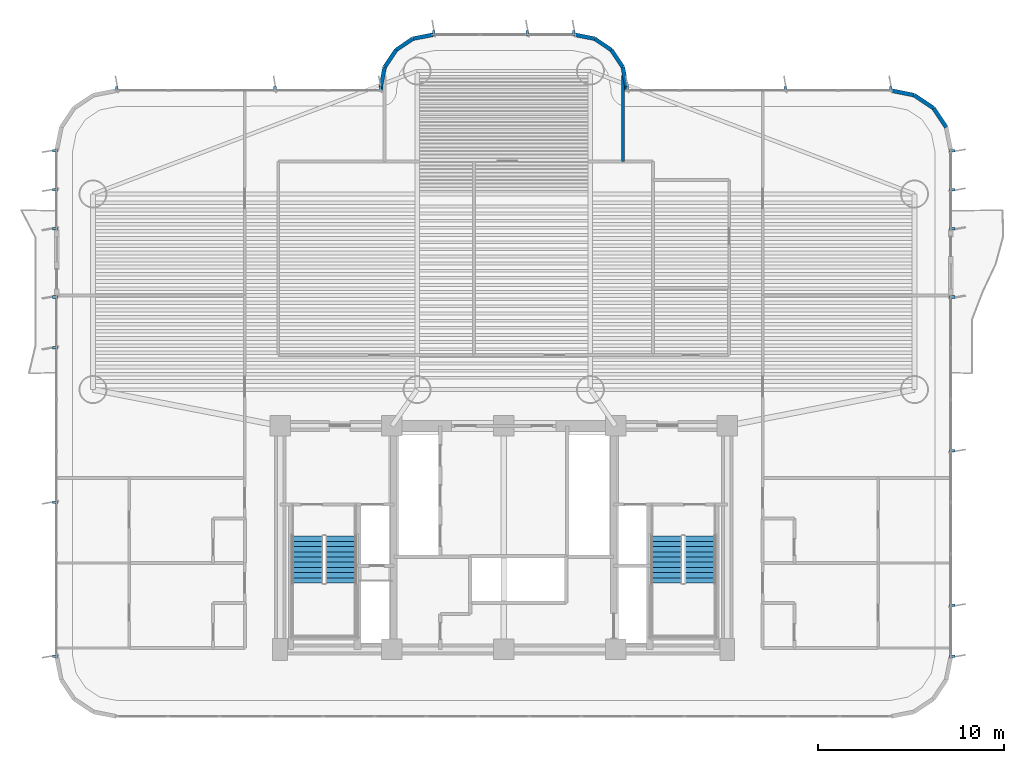
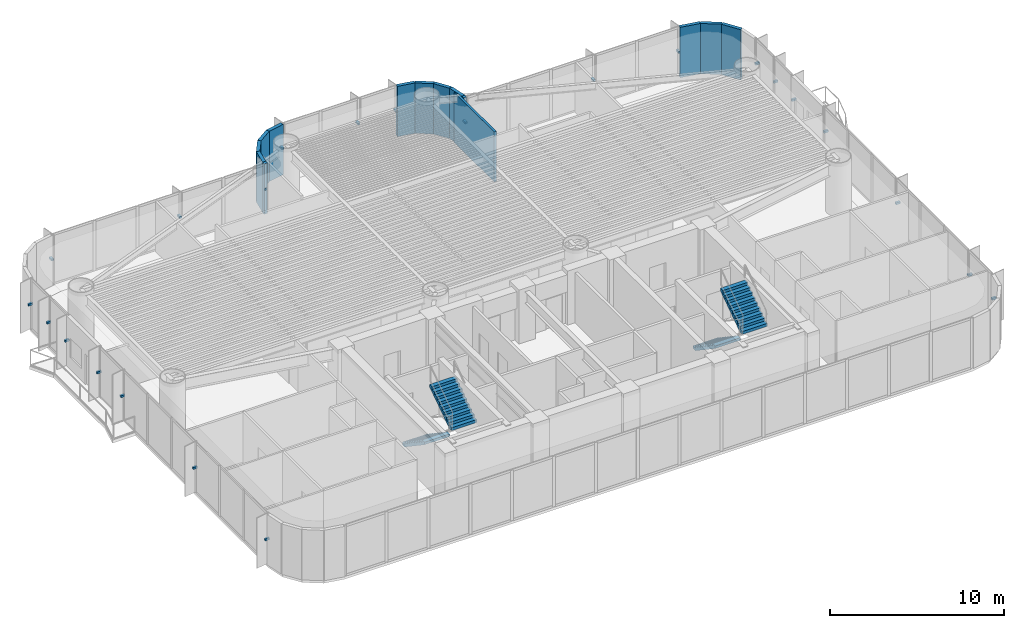
# One storey, part 13 of 17: 23 discrete accessories, 14 walls, 4 stair flights, 2 elements without a shape of their own.
"""IFC4 building model written with IfcOpenShell, lengths in metres."""

import ifcopenshell
import ifcopenshell.guid

model = None  # the IFC model being written
_history = None  # IfcOwnerHistory: only IFC2X3 demands one
_inside = {}  # id of a spatial element -> (the spatial element, [elements in it])
_under = {}  # id of a project, library or spatial element -> (it, [spatial elements below it])
_declared = {}  # id of a project -> (the project, [libraries it declares])
_typed = {}  # id of a type object -> (the type object, [elements of that type])
_made_of = {}  # id of a material, layer set ... -> (it, [elements and type objects made of it])


def new_model(schema):
    """Start an empty IFC model of exactly this schema.

    Asked for "IFC4X3", IfcOpenShell would pick the latest addendum, in which some entities
    have other attributes; the version numbers below select the first issue.
    IFC2X3 requires an IfcOwnerHistory on every rooted entity: one is made here for all.
    """
    global model, _history
    if schema == "IFC4X3":
        model = ifcopenshell.file(schema_version=(4, 3, 0, 0))
    else:
        model = ifcopenshell.file(schema=schema)
    _inside.clear()
    _under.clear()
    _declared.clear()
    _typed.clear()
    _made_of.clear()
    _history = None
    if model.schema == "IFC2X3":
        org = make("IfcOrganization", Name="unknown")
        user = make(
            "IfcPersonAndOrganization",
            ThePerson=make("IfcPerson", FamilyName="unknown"),
            TheOrganization=org,
        )
        app = make(
            "IfcApplication",
            ApplicationDeveloper=org,
            Version="unknown",
            ApplicationFullName="unknown",
            ApplicationIdentifier="unknown",
        )
        _history = make(
            "IfcOwnerHistory",
            OwningUser=user,
            OwningApplication=app,
            ChangeAction="ADDED",
            CreationDate=0,
        )
    return model


def make(cls, **values):
    """One entity of the class cls with the attributes given. An attribute that is None is left unset."""
    return model.create_entity(
        cls, **{name: value for name, value in values.items() if value is not None}
    )


def rooted(cls, **values):
    """An entity with a GlobalId (a new one), such as an element, a storey or a relation."""
    return make(cls, GlobalId=ifcopenshell.guid.new(), OwnerHistory=_history, **values)


def si_unit(unit_type, name, prefix=None):
    """IfcSIUnit, for example si_unit("LENGTHUNIT", "METRE", prefix="MILLI")."""
    return make("IfcSIUnit", UnitType=unit_type, Prefix=prefix, Name=name)


def assignment(units):
    """IfcUnitAssignment: the units of a project."""
    return None if units is None else make("IfcUnitAssignment", Units=units)


def point(xyz):
    """IfcCartesianPoint."""
    return None if xyz is None else make("IfcCartesianPoint", Coordinates=xyz)


def direction(xyz):
    """IfcDirection."""
    return None if xyz is None else make("IfcDirection", DirectionRatios=xyz)


def frame(location, z_axis=None, x_axis=None):
    """IfcAxis2Placement3D, a coordinate frame: its origin and axes. An axis left out is left unset."""
    return make(
        "IfcAxis2Placement3D",
        Location=point(location),
        Axis=direction(z_axis),
        RefDirection=direction(x_axis),
    )


def frame_2d(location, x_axis=None):
    """IfcAxis2Placement2D, a coordinate frame in the plane: its origin and x axis."""
    return make(
        "IfcAxis2Placement2D", Location=point(location), RefDirection=direction(x_axis)
    )


def origin():
    """The frame at (0, 0, 0) with its axes left unset."""
    return frame((0.0, 0.0, 0.0))


def origin_2d():
    """The frame at (0, 0) in the plane with its x axis left unset."""
    return frame_2d((0.0, 0.0))


def place(relative_to, where):
    """IfcLocalPlacement: puts the frame where relative to a parent placement (None: the world)."""
    return make(
        "IfcLocalPlacement", PlacementRelTo=relative_to, RelativePlacement=where
    )


def context(
    kind, dimensions, precision=None, world=None, true_north=None, identifier=None
):
    """IfcGeometricRepresentationContext, for example the 3D "Model" context."""
    return make(
        "IfcGeometricRepresentationContext",
        ContextIdentifier=identifier,
        ContextType=kind,
        CoordinateSpaceDimension=dimensions,
        Precision=precision,
        WorldCoordinateSystem=world,
        TrueNorth=true_north,
    )


def subcontext(parent, identifier, kind, view, scale=None):
    """IfcGeometricRepresentationSubContext, for example "Body" below "Model"."""
    return make(
        "IfcGeometricRepresentationSubContext",
        ContextIdentifier=identifier,
        ContextType=kind,
        ParentContext=parent,
        TargetScale=scale,
        TargetView=view,
    )


def project(units=None, contexts=None):
    """IfcProject with its units and contexts."""
    return rooted(
        "IfcProject",
        Name="project",
        RepresentationContexts=contexts,
        UnitsInContext=assignment(units),
    )


def spatial(cls, under=None, at=None, **own):
    """A site, building, storey or space (cls), placed at a placement, below another one or the project."""
    s = rooted(cls, ObjectPlacement=at, **own)
    if under is not None:
        _under.setdefault(under.id(), (under, []))[1].append(s)
    return s


def polyline(points):
    """IfcPolyline through the points."""
    return make("IfcPolyline", Points=[point(p) for p in points])


def profile(cls, at=None, kind="AREA", **sizes):
    """A parametric profile (cls). Its sizes go by their IFC names, for example OverallWidth=200.0."""
    return make(cls, ProfileType=kind, Position=at, **sizes)


def rectangle(**sizes):
    """IfcRectangleProfileDef."""
    return profile("IfcRectangleProfileDef", **sizes)


def outline(outer, holes=None, kind="AREA"):
    """IfcArbitraryClosedProfileDef: a profile drawn as a closed curve; with holes, ...WithVoids."""
    if holes is None:
        return make("IfcArbitraryClosedProfileDef", ProfileType=kind, OuterCurve=outer)
    return make(
        "IfcArbitraryProfileDefWithVoids",
        ProfileType=kind,
        OuterCurve=outer,
        InnerCurves=holes,
    )


def extrude(swept, where, along, depth):
    """IfcExtrudedAreaSolid: the profile swept, set in the frame where, extruded along a direction by depth."""
    return make(
        "IfcExtrudedAreaSolid",
        SweptArea=swept,
        Position=where,
        ExtrudedDirection=direction(along),
        Depth=depth,
    )


def shape(context_of_items, identifier, shape_type, items):
    """IfcShapeRepresentation: the items that make up one representation, for example the "Body"."""
    return make(
        "IfcShapeRepresentation",
        ContextOfItems=context_of_items,
        RepresentationIdentifier=identifier,
        RepresentationType=shape_type,
        Items=items,
    )


def source(mapping_origin, context_of_items, identifier, shape_type, items):
    """IfcRepresentationMap: a shape defined once, which mapped items show again and again."""
    return make(
        "IfcRepresentationMap",
        MappingOrigin=mapping_origin,
        MappedRepresentation=shape(context_of_items, identifier, shape_type, items),
    )


def transform(
    local_origin,
    x_axis=None,
    y_axis=None,
    z_axis=None,
    scale=None,
    scale2=None,
    scale3=None,
    uniform=True,
):
    """IfcCartesianTransformationOperator3D, or its non-uniform kind. x_axis, y_axis, z_axis: its Axis1, 2, 3."""
    if uniform:
        return make(
            "IfcCartesianTransformationOperator3D",
            Axis1=direction(x_axis),
            Axis2=direction(y_axis),
            LocalOrigin=point(local_origin),
            Scale=scale,
            Axis3=direction(z_axis),
        )
    return make(
        "IfcCartesianTransformationOperator3DnonUniform",
        Axis1=direction(x_axis),
        Axis2=direction(y_axis),
        LocalOrigin=point(local_origin),
        Scale=scale,
        Axis3=direction(z_axis),
        Scale2=scale2,
        Scale3=scale3,
    )


def mapped(mapping_source, mapping_target):
    """IfcMappedItem: shows the shape of a source again, moved by a transform."""
    return make(
        "IfcMappedItem", MappingSource=mapping_source, MappingTarget=mapping_target
    )


def material(Name=None, Category=None):
    """IfcMaterial."""
    return make("IfcMaterial", Name=Name, Category=Category)


def layer(
    of_material, thickness, ventilated=None, Name=None, Category=None, Priority=None
):
    """IfcMaterialLayer: one layer of a wall or slab, of a material (None: an air gap)."""
    return make(
        "IfcMaterialLayer",
        Material=of_material,
        LayerThickness=thickness,
        IsVentilated=ventilated,
        Name=Name,
        Category=Category,
        Priority=Priority,
    )


def layer_set(layers, Name=None):
    """IfcMaterialLayerSet."""
    return make("IfcMaterialLayerSet", MaterialLayers=layers, LayerSetName=Name)


def made_of(thing, what):
    """Note that an element or type object is made of a material, layer set ...; save() writes the relation."""
    if what is not None:
        _made_of.setdefault(what.id(), (what, []))[1].append(thing)
    return thing


def type_object(cls, material=None, **own):
    """A type object (cls), such as IfcWallType, which elements share."""
    return made_of(rooted(cls, **own), material)


def element(
    cls,
    number,
    at=None,
    inside=None,
    cuts=None,
    type_object=None,
    material=None,
    context=None,
    identifier="Body",
    shape_type=None,
    held_by="IfcProductDefinitionShape",
    body=None,
    shapes=None,
    **own,
):
    """One element of the class cls, such as IfcWall. Its Tag is "e" and its number.

    at: its placement. inside: the storey or other place that contains it. cuts: it is an
    opening in that element (IfcRelVoidsElement). A single representation is given by context,
    identifier, shape_type and body (its items); several are given by shapes. held_by: the class
    of the entity that holds the representations. save() writes the other relations.
    """
    e = rooted(cls, Tag="e%d" % number, ObjectPlacement=at, **own)
    if body is not None:
        shapes = [shape(context, identifier, shape_type, body)]
    if shapes is not None:
        e.Representation = make(held_by, Representations=shapes)
    if inside is not None:
        _inside.setdefault(inside.id(), (inside, []))[1].append(e)
    if cuts is not None:
        rooted(
            "IfcRelVoidsElement", RelatingBuildingElement=cuts, RelatedOpeningElement=e
        )
    if type_object is not None:
        _typed.setdefault(type_object.id(), (type_object, []))[1].append(e)
    return made_of(e, material)


def aggregate(whole, parts):
    """IfcRelAggregates: a whole, such as a stair, and the parts it consists of."""
    return rooted("IfcRelAggregates", RelatingObject=whole, RelatedObjects=parts)


def save(model, path):
    """Write the relations noted so far, then the file.

    IfcRelAggregates (storeys below a building ...), IfcRelContainedInSpatialStructure (elements
    in a storey), IfcRelDefinesByType, IfcRelAssociatesMaterial and IfcRelDeclares: one each for
    every whole, place, type object, material and project.
    """
    for whole, parts in _under.values():
        aggregate(whole, parts)
    for where, things in _inside.values():
        rooted(
            "IfcRelContainedInSpatialStructure",
            RelatedElements=things,
            RelatingStructure=where,
        )
    for kind, things in _typed.values():
        rooted("IfcRelDefinesByType", RelatedObjects=things, RelatingType=kind)
    for what, things in _made_of.values():
        rooted("IfcRelAssociatesMaterial", RelatedObjects=things, RelatingMaterial=what)
    for by, libraries in _declared.values():
        rooted("IfcRelDeclares", RelatingContext=by, RelatedDefinitions=libraries)
    model.write(path)


model = new_model("IFC4")

# Units and contexts
model_context = context("Model", 3, precision=1e-05, world=origin(), true_north=direction((0.0, 1.0)))
body_context = subcontext(model_context, "Body", "Model", "MODEL_VIEW")
ifc_project = project(units=[si_unit("LENGTHUNIT", "METRE"), si_unit("AREAUNIT", "SQUARE_METRE"), si_unit("VOLUMEUNIT", "CUBIC_METRE"), si_unit("PLANEANGLEUNIT", "RADIAN"), si_unit("MASSUNIT", "GRAM", prefix="KILO")], contexts=[model_context])

# Site, building, storey
site_placement = place(None, origin())
site = spatial("IfcSite", under=ifc_project, at=site_placement, CompositionType="ELEMENT")
building_placement = place(site_placement, origin())
building = spatial("IfcBuilding", under=site, at=building_placement, Name="Brelvock Crest Care Tower", CompositionType="ELEMENT")
storey_placement = place(building_placement, frame((0.0, 0.0, 49.679931640625)))
storey = spatial("IfcBuildingStorey", under=building, at=storey_placement, Name="L12", CompositionType="ELEMENT", Elevation=49.679931640625)

# Walls
ifc_material_1 = material(Name="Precast concrete N40 (40 MPa)", Category="concrete")
ifc_layer_1 = layer(ifc_material_1, 0.215087890625, Name="WL-EX2")
ifc_layer_set_1 = layer_set([ifc_layer_1], Name="Precast concrete N40 (40 MPa)")
wall_type_1 = type_object("IfcWallType", Name="WL-EX2", PredefinedType="SOLIDWALL", material=ifc_layer_set_1)
for number, where, z_axis, x_axis, name in (
    (1, (58.024658203125, 35.75634765625, 0.0), (0.0, 0.0, 1.0), (0.831478245117, -0.555557312883, 0.0), "L12 Rounded Corner Wall 00"),
    (2, (59.062744140625, 35.062744140625, 0.0), (0.0, 0.0, 1.0), (0.555557312883, -0.831478245117, 0.0), "L12 Rounded Corner Wall 01"),
):
    element("IfcWall", number, at=place(storey_placement, frame(where, z_axis=z_axis, x_axis=x_axis)), inside=storey, type_object=wall_type_1, Name=name, PredefinedType="SOLIDWALL", context=body_context, shape_type="SweptSolid", body=[
        extrude(rectangle(XDim=1.24853515625, YDim=0.215087890625, at=frame_2d((0.624267578125, 0.0))), origin(), (0.0, 0.0, 1.0), 3.530029296875),
    ])
wall_1_placement = place(storey_placement, frame((29.39990234375, 36.0, 0.0), z_axis=(0.0, 0.0, 1.0), x_axis=(0.0, 1.0, 0.0)))
element("IfcWall", 3, at=wall_1_placement, inside=storey, type_object=wall_type_1, Name="L12 Rounded Corner Wall 19", PredefinedType="SOLIDWALL", context=body_context, shape_type="SweptSolid", body=[
    extrude(rectangle(XDim=0.199951171875, YDim=0.215087890625, at=frame_2d((0.10009765625, 0.0))), origin(), (0.0, 0.0, 1.0), 3.530029296875),
])
wall_2_placement = place(storey_placement, frame((29.39990234375, 36.199951171875, 0.0), z_axis=(0.0, 0.0, 1.0), x_axis=(0.195084651288, 0.980786408364, 0.0)))
element("IfcWall", 4, at=wall_2_placement, inside=storey, type_object=wall_type_1, Name="L12 Rounded Corner Wall 20", PredefinedType="SOLIDWALL", context=body_context, shape_type="SweptSolid", body=[
    extrude(rectangle(XDim=1.092529296875, YDim=0.215087890625, at=frame_2d((0.54638671875, 0.0))), origin(), (0.0, 0.0, 1.0), 3.530029296875),
])
wall_3_placement = place(storey_placement, frame((29.613037109375, 37.271484375, 0.0), z_axis=(0.0, 0.0, 1.0), x_axis=(0.555679482341, 0.831396603857, 0.0)))
element("IfcWall", 5, at=wall_3_placement, inside=storey, type_object=wall_type_1, Name="L12 Rounded Corner Wall 21", PredefinedType="SOLIDWALL", context=body_context, shape_type="SweptSolid", body=[
    extrude(rectangle(XDim=1.0927734375, YDim=0.215087890625, at=frame_2d((0.54638671875, 0.0))), origin(), (0.0, 0.0, 1.0), 3.530029296875),
])
wall_4_placement = place(storey_placement, frame((30.22021484375, 38.179931640625, 0.0), z_axis=(0.0, 0.0, 1.0), x_axis=(0.831430845238, 0.555628247651, 0.0)))
element("IfcWall", 6, at=wall_4_placement, inside=storey, type_object=wall_type_1, Name="L12 Rounded Corner Wall 22", PredefinedType="SOLIDWALL", context=body_context, shape_type="SweptSolid", body=[
    extrude(rectangle(XDim=1.09228515625, YDim=0.215087890625, at=frame_2d((0.546142578125, 0.0))), origin(), (0.0, 0.0, 1.0), 3.530029296875),
])
for number, where, z_axis, x_axis, name in (
    (7, (31.12841796875, 38.786865234375, 0.0), (0.0, 0.0, 1.0), (0.980786408364, 0.195084651288, 0.0), "L12 Rounded Corner Wall 23"),
    (8, (39.800048828125, 39.0, 0.0), (0.0, 0.0, 1.0), (0.980786408364, -0.195084651288, 0.0), "L12 Rounded Corner Wall 25"),
):
    element("IfcWall", number, at=place(storey_placement, frame(where, z_axis=z_axis, x_axis=x_axis)), inside=storey, type_object=wall_type_1, Name=name, PredefinedType="SOLIDWALL", context=body_context, shape_type="SweptSolid", body=[
        extrude(rectangle(XDim=1.092529296875, YDim=0.215087890625, at=frame_2d((0.54638671875, 0.0))), origin(), (0.0, 0.0, 1.0), 3.530029296875),
    ])
wall_5_placement = place(storey_placement, frame((40.87158203125, 38.786865234375, 0.0), z_axis=(0.0, 0.0, 1.0), x_axis=(0.831430845238, -0.555628247651, 0.0)))
element("IfcWall", 9, at=wall_5_placement, inside=storey, type_object=wall_type_1, Name="L12 Rounded Corner Wall 26", PredefinedType="SOLIDWALL", context=body_context, shape_type="SweptSolid", body=[
    extrude(rectangle(XDim=1.09228515625, YDim=0.215087890625, at=frame_2d((0.546142578125, 0.0))), origin(), (0.0, 0.0, 1.0), 3.530029296875),
])
wall_6_placement = place(storey_placement, frame((41.77978515625, 38.179931640625, 0.0), z_axis=(0.0, 0.0, 1.0), x_axis=(0.555679482341, -0.831396603857, 0.0)))
element("IfcWall", 10, at=wall_6_placement, inside=storey, type_object=wall_type_1, Name="L12 Rounded Corner Wall 27", PredefinedType="SOLIDWALL", context=body_context, shape_type="SweptSolid", body=[
    extrude(rectangle(XDim=1.0927734375, YDim=0.215087890625, at=frame_2d((0.54638671875, 0.0))), origin(), (0.0, 0.0, 1.0), 3.530029296875),
])
wall_7_placement = place(storey_placement, frame((42.386962890625, 37.271484375, 0.0), z_axis=(0.0, 0.0, 1.0), x_axis=(0.195084651288, -0.980786408364, 0.0)))
element("IfcWall", 11, at=wall_7_placement, inside=storey, type_object=wall_type_1, Name="L12 Rounded Corner Wall 28", PredefinedType="SOLIDWALL", context=body_context, shape_type="SweptSolid", body=[
    extrude(rectangle(XDim=1.092529296875, YDim=0.215087890625, at=frame_2d((0.54638671875, 0.0))), origin(), (0.0, 0.0, 1.0), 3.530029296875),
])
wall_8_placement = place(storey_placement, frame((42.60009765625, 36.199951171875, 0.0), z_axis=(0.0, 0.0, 1.0), x_axis=(0.0, -1.0, 0.0)))
element("IfcWall", 12, at=wall_8_placement, inside=storey, type_object=wall_type_1, Name="L12 Rounded Corner Wall 29", PredefinedType="SOLIDWALL", context=body_context, shape_type="SweptSolid", body=[
    extrude(rectangle(XDim=0.199951171875, YDim=0.215087890625, at=frame_2d((0.10009765625, 0.0))), origin(), (0.0, 0.0, 1.0), 3.530029296875),
])
wall_9_placement = place(storey_placement, frame((56.800048828125, 36.0, 0.0), z_axis=(0.0, 0.0, 1.0), x_axis=(0.980775717779, -0.195138390419, 0.0)))
element("IfcWall", 13, at=wall_9_placement, inside=storey, type_object=wall_type_1, Name="L12 Rounded Corner Wall 31", PredefinedType="SOLIDWALL", context=body_context, shape_type="SweptSolid", body=[
    extrude(rectangle(XDim=1.24853515625, YDim=0.215087890625, at=frame_2d((0.624267578125, 0.0))), origin(), (0.0, 0.0, 1.0), 3.530029296875),
])
ifc_material_2 = material(Name="Masonry Blockwork Acoustic Partition", Category="masonry")
ifc_layer_2 = layer(ifc_material_2, 0.14990234375, Name="WL-INT1")
ifc_layer_set_2 = layer_set([ifc_layer_2], Name="Masonry Blockwork Acoustic Partition")
wall_type_2 = type_object("IfcWallType", Name="WL-INT1", PredefinedType="PARTITIONING", material=ifc_layer_set_2)
wall_10_placement = place(storey_placement, frame((42.39990234375, 32.199951171875, 0.0), z_axis=(0.0, 0.0, 1.0), x_axis=(0.0, 1.0, 0.0)))
element("IfcWall", 14, at=wall_10_placement, inside=storey, type_object=wall_type_2, Name="L12 Interior Wall WL-BX-L12-NHUB-E", PredefinedType="PARTITIONING", context=body_context, shape_type="SweptSolid", body=[
    extrude(rectangle(XDim=4.595458984375, YDim=0.14990234375, at=frame_2d((2.2978515625, 0.0))), origin(), (0.0, 0.0, 1.0), 3.5),
])

# Stair, stair flights
ifc_material_3 = material(Name="Concrete N40 (40 MPa)", Category="concrete")
stair_type = type_object("IfcStairType", Name="ST-CORE1", PredefinedType="HALF_TURN_STAIR", material=ifc_material_3)
stair_1_placement = place(storey_placement, origin())
stair_1 = element("IfcStair", 15, at=stair_1_placement, inside=storey, type_object=stair_type, Name="L12 Fire-Isolated Core Stair ST-1", PredefinedType="HALF_TURN_STAIR")
stair_flight_type = type_object("IfcStairFlightType", Name="STF-1", PredefinedType="STRAIGHT", material=ifc_material_3)
stair_flight_1_placement = place(storey_placement, frame((25.469970703125, 12.080078125, 0.0), z_axis=(0.0, 0.0, 1.0), x_axis=(0.0, -1.0, 0.0)))
stair_flight_1 = element("IfcStairFlight", 16, at=stair_flight_1_placement, type_object=stair_flight_type, Name="ST-1 flight 1", NumberOfRisers=10, NumberOfTreads=9, PredefinedType="STRAIGHT", RiserHeight=0.189, TreadLength=0.28, context=body_context, shape_type="SweptSolid", body=[
    extrude(outline(polyline([(-0.00390625, -0.014892578125), (-0.00390625, -0.0078125), (-0.00390625, -0.00048828125), (-0.00390625, 0.0068359375), (-0.00390625, 0.01416015625), (-0.00390625, 0.021484375), (-0.00390625, 0.02880859375), (-0.00390625, 0.035888671875), (-0.00390625, 0.043212890625), (-0.00390625, 0.050537109375), (-0.00390625, 0.057861328125), (-0.00390625, 0.065185546875), (-0.00390625, 0.072509765625), (-0.00390625, 0.07958984375), (-0.00390625, 0.0869140625), (-0.00390625, 0.09423828125), (-0.00390625, 0.1015625), (-0.00390625, 0.10888671875), (-0.00390625, 0.1162109375), (-0.00390625, 0.12353515625), (-0.00390625, 0.130615234375), (-0.00390625, 0.137939453125), (-0.00390625, 0.145263671875), (-0.00390625, 0.152587890625), (-0.00390625, 0.159912109375), (-0.00390625, 0.167236328125), (-0.00390625, 0.17431640625), (-0.00390625, 0.181640625), (-0.00390625, 0.18896484375), (0.0, 0.18896484375), (0.280029296875, 0.18896484375), (0.280029296875, 0.3779296875), (0.56005859375, 0.3779296875), (0.56005859375, 0.56689453125), (0.840087890625, 0.56689453125), (0.840087890625, 0.756103515625), (1.1201171875, 0.756103515625), (1.1201171875, 0.945068359375), (1.39990234375, 0.945068359375), (1.39990234375, 1.134033203125), (1.679931640625, 1.134033203125), (1.679931640625, 1.322998046875), (1.9599609375, 1.322998046875), (1.9599609375, 1.511962890625), (2.239990234375, 1.511962890625), (2.239990234375, 1.700927734375), (2.52001953125, 1.700927734375), (2.52392578125, 1.700927734375), (2.523681640625, 1.70068359375), (2.52392578125, 1.700439453125), (2.523681640625, 1.699951171875), (2.52392578125, 1.69970703125), (2.523681640625, 1.699462890625), (2.52392578125, 1.698974609375), (2.523681640625, 1.69873046875), (2.52392578125, 1.698486328125), (2.523681640625, 1.697998046875), (2.52392578125, 1.69775390625), (2.523681640625, 1.697509765625), (2.52392578125, 1.697021484375), (2.523681640625, 1.69677734375), (2.52392578125, 1.696533203125), (2.523681640625, 1.6962890625), (2.52392578125, 1.69580078125), (2.523681640625, 1.695556640625), (2.52392578125, 1.6953125), (2.523681640625, 1.69482421875), (2.52392578125, 1.694580078125), (2.523681640625, 1.6943359375), (2.52392578125, 1.69384765625), (2.523681640625, 1.693603515625), (2.52392578125, 1.693359375), (2.523681640625, 1.69287109375), (2.52392578125, 1.692626953125), (2.523681640625, 1.6923828125), (2.52392578125, 1.69189453125), (2.52001953125, 1.520263671875), (0.267822265625, 0.0), (0.0, 0.0), (0.0, -0.014892578125), (-0.00390625, -0.014892578125)])), frame((0.0, 0.83984375, 0.0), z_axis=(0.0, -1.0, 0.0), x_axis=(1.0, 0.0, 0.0)), (0.0, 0.0, 1.0), 1.679931640625),
])
stair_flight_2_placement = place(storey_placement, frame((27.27001953125, 9.56005859375, 1.89013671875), z_axis=(0.0, 0.0, 1.0), x_axis=(0.0, 1.0, 0.0)))
stair_flight_2 = element("IfcStairFlight", 17, at=stair_flight_2_placement, type_object=stair_flight_type, Name="ST-1 flight 2", NumberOfRisers=10, NumberOfTreads=9, PredefinedType="STRAIGHT", RiserHeight=0.189, TreadLength=0.28, context=body_context, shape_type="SweptSolid", body=[
    extrude(outline(polyline([(-0.00390625, -0.014892578125), (-0.00390625, -0.0078125), (-0.00390625, -0.00048828125), (-0.00390625, 0.0068359375), (-0.00390625, 0.01416015625), (-0.00390625, 0.021484375), (-0.00390625, 0.02880859375), (-0.00390625, 0.035888671875), (-0.00390625, 0.043212890625), (-0.00390625, 0.050537109375), (-0.00390625, 0.057861328125), (-0.00390625, 0.065185546875), (-0.00390625, 0.072509765625), (-0.00390625, 0.07958984375), (-0.00390625, 0.0869140625), (-0.00390625, 0.09423828125), (-0.00390625, 0.1015625), (-0.00390625, 0.10888671875), (-0.00390625, 0.1162109375), (-0.00390625, 0.12353515625), (-0.00390625, 0.130615234375), (-0.00390625, 0.137939453125), (-0.00390625, 0.145263671875), (-0.00390625, 0.152587890625), (-0.00390625, 0.159912109375), (-0.00390625, 0.167236328125), (-0.00390625, 0.17431640625), (-0.00390625, 0.181640625), (-0.00390625, 0.18896484375), (0.0, 0.18896484375), (0.280029296875, 0.18896484375), (0.280029296875, 0.3779296875), (0.56005859375, 0.3779296875), (0.56005859375, 0.56689453125), (0.840087890625, 0.56689453125), (0.840087890625, 0.756103515625), (1.1201171875, 0.756103515625), (1.1201171875, 0.945068359375), (1.39990234375, 0.945068359375), (1.39990234375, 1.134033203125), (1.679931640625, 1.134033203125), (1.679931640625, 1.322998046875), (1.9599609375, 1.322998046875), (1.9599609375, 1.511962890625), (2.239990234375, 1.511962890625), (2.239990234375, 1.700927734375), (2.52001953125, 1.700927734375), (2.52392578125, 1.700927734375), (2.523681640625, 1.70068359375), (2.52392578125, 1.700439453125), (2.523681640625, 1.699951171875), (2.52392578125, 1.69970703125), (2.523681640625, 1.699462890625), (2.52392578125, 1.698974609375), (2.523681640625, 1.69873046875), (2.52392578125, 1.698486328125), (2.523681640625, 1.697998046875), (2.52392578125, 1.69775390625), (2.523681640625, 1.697509765625), (2.52392578125, 1.697021484375), (2.523681640625, 1.69677734375), (2.52392578125, 1.696533203125), (2.523681640625, 1.6962890625), (2.52392578125, 1.69580078125), (2.523681640625, 1.695556640625), (2.52392578125, 1.6953125), (2.523681640625, 1.69482421875), (2.52392578125, 1.694580078125), (2.523681640625, 1.6943359375), (2.52392578125, 1.69384765625), (2.523681640625, 1.693603515625), (2.52392578125, 1.693359375), (2.523681640625, 1.69287109375), (2.52392578125, 1.692626953125), (2.523681640625, 1.6923828125), (2.52392578125, 1.69189453125), (2.52001953125, 1.520263671875), (0.267822265625, 0.0), (0.0, 0.0), (0.0, -0.014892578125), (-0.00390625, -0.014892578125)])), frame((0.0, 0.83984375, 0.0), z_axis=(0.0, -1.0, 0.0), x_axis=(1.0, 0.0, 0.0)), (0.0, 0.0, 1.0), 1.679931640625),
])
aggregate(stair_1, [stair_flight_1, stair_flight_2])

stair_2_placement = place(storey_placement, origin())
stair_2 = element("IfcStair", 18, at=stair_2_placement, inside=storey, type_object=stair_type, Name="L12 Fire-Isolated Core Stair ST-2", PredefinedType="HALF_TURN_STAIR")
stair_flight_3_placement = place(storey_placement, frame((44.72998046875, 12.080078125, 0.0), z_axis=(0.0, 0.0, 1.0), x_axis=(0.0, -1.0, 0.0)))
stair_flight_3 = element("IfcStairFlight", 19, at=stair_flight_3_placement, type_object=stair_flight_type, Name="ST-2 flight 1", NumberOfRisers=10, NumberOfTreads=9, PredefinedType="STRAIGHT", RiserHeight=0.189, TreadLength=0.28, context=body_context, shape_type="SweptSolid", body=[
    extrude(outline(polyline([(-0.00390625, -0.014892578125), (-0.00390625, -0.0078125), (-0.00390625, -0.00048828125), (-0.00390625, 0.0068359375), (-0.00390625, 0.01416015625), (-0.00390625, 0.021484375), (-0.00390625, 0.02880859375), (-0.00390625, 0.035888671875), (-0.00390625, 0.043212890625), (-0.00390625, 0.050537109375), (-0.00390625, 0.057861328125), (-0.00390625, 0.065185546875), (-0.00390625, 0.072509765625), (-0.00390625, 0.07958984375), (-0.00390625, 0.0869140625), (-0.00390625, 0.09423828125), (-0.00390625, 0.1015625), (-0.00390625, 0.10888671875), (-0.00390625, 0.1162109375), (-0.00390625, 0.12353515625), (-0.00390625, 0.130615234375), (-0.00390625, 0.137939453125), (-0.00390625, 0.145263671875), (-0.00390625, 0.152587890625), (-0.00390625, 0.159912109375), (-0.00390625, 0.167236328125), (-0.00390625, 0.17431640625), (-0.00390625, 0.181640625), (-0.00390625, 0.18896484375), (0.0, 0.18896484375), (0.280029296875, 0.18896484375), (0.280029296875, 0.3779296875), (0.56005859375, 0.3779296875), (0.56005859375, 0.56689453125), (0.840087890625, 0.56689453125), (0.840087890625, 0.756103515625), (1.1201171875, 0.756103515625), (1.1201171875, 0.945068359375), (1.39990234375, 0.945068359375), (1.39990234375, 1.134033203125), (1.679931640625, 1.134033203125), (1.679931640625, 1.322998046875), (1.9599609375, 1.322998046875), (1.9599609375, 1.511962890625), (2.239990234375, 1.511962890625), (2.239990234375, 1.700927734375), (2.52001953125, 1.700927734375), (2.52392578125, 1.700927734375), (2.523681640625, 1.70068359375), (2.52392578125, 1.700439453125), (2.523681640625, 1.699951171875), (2.52392578125, 1.69970703125), (2.523681640625, 1.699462890625), (2.52392578125, 1.698974609375), (2.523681640625, 1.69873046875), (2.52392578125, 1.698486328125), (2.523681640625, 1.697998046875), (2.52392578125, 1.69775390625), (2.523681640625, 1.697509765625), (2.52392578125, 1.697021484375), (2.523681640625, 1.69677734375), (2.52392578125, 1.696533203125), (2.523681640625, 1.6962890625), (2.52392578125, 1.69580078125), (2.523681640625, 1.695556640625), (2.52392578125, 1.6953125), (2.523681640625, 1.69482421875), (2.52392578125, 1.694580078125), (2.523681640625, 1.6943359375), (2.52392578125, 1.69384765625), (2.523681640625, 1.693603515625), (2.52392578125, 1.693359375), (2.523681640625, 1.69287109375), (2.52392578125, 1.692626953125), (2.523681640625, 1.6923828125), (2.52392578125, 1.69189453125), (2.52001953125, 1.520263671875), (0.267822265625, 0.0), (0.0, 0.0), (0.0, -0.014892578125), (-0.00390625, -0.014892578125)])), frame((0.0, 0.83984375, 0.0), z_axis=(0.0, -1.0, 0.0), x_axis=(1.0, 0.0, 0.0)), (0.0, 0.0, 1.0), 1.679931640625),
])
stair_flight_4_placement = place(storey_placement, frame((46.530029296875, 9.56005859375, 1.89013671875), z_axis=(0.0, 0.0, 1.0), x_axis=(0.0, 1.0, 0.0)))
stair_flight_4 = element("IfcStairFlight", 20, at=stair_flight_4_placement, type_object=stair_flight_type, Name="ST-2 flight 2", NumberOfRisers=10, NumberOfTreads=9, PredefinedType="STRAIGHT", RiserHeight=0.189, TreadLength=0.28, context=body_context, shape_type="SweptSolid", body=[
    extrude(outline(polyline([(-0.00390625, -0.014892578125), (-0.00390625, -0.0078125), (-0.00390625, -0.00048828125), (-0.00390625, 0.0068359375), (-0.00390625, 0.01416015625), (-0.00390625, 0.021484375), (-0.00390625, 0.02880859375), (-0.00390625, 0.035888671875), (-0.00390625, 0.043212890625), (-0.00390625, 0.050537109375), (-0.00390625, 0.057861328125), (-0.00390625, 0.065185546875), (-0.00390625, 0.072509765625), (-0.00390625, 0.07958984375), (-0.00390625, 0.0869140625), (-0.00390625, 0.09423828125), (-0.00390625, 0.1015625), (-0.00390625, 0.10888671875), (-0.00390625, 0.1162109375), (-0.00390625, 0.12353515625), (-0.00390625, 0.130615234375), (-0.00390625, 0.137939453125), (-0.00390625, 0.145263671875), (-0.00390625, 0.152587890625), (-0.00390625, 0.159912109375), (-0.00390625, 0.167236328125), (-0.00390625, 0.17431640625), (-0.00390625, 0.181640625), (-0.00390625, 0.18896484375), (0.0, 0.18896484375), (0.280029296875, 0.18896484375), (0.280029296875, 0.3779296875), (0.56005859375, 0.3779296875), (0.56005859375, 0.56689453125), (0.840087890625, 0.56689453125), (0.840087890625, 0.756103515625), (1.1201171875, 0.756103515625), (1.1201171875, 0.945068359375), (1.39990234375, 0.945068359375), (1.39990234375, 1.134033203125), (1.679931640625, 1.134033203125), (1.679931640625, 1.322998046875), (1.9599609375, 1.322998046875), (1.9599609375, 1.511962890625), (2.239990234375, 1.511962890625), (2.239990234375, 1.700927734375), (2.52001953125, 1.700927734375), (2.52392578125, 1.700927734375), (2.523681640625, 1.70068359375), (2.52392578125, 1.700439453125), (2.523681640625, 1.699951171875), (2.52392578125, 1.69970703125), (2.523681640625, 1.699462890625), (2.52392578125, 1.698974609375), (2.523681640625, 1.69873046875), (2.52392578125, 1.698486328125), (2.523681640625, 1.697998046875), (2.52392578125, 1.69775390625), (2.523681640625, 1.697509765625), (2.52392578125, 1.697021484375), (2.523681640625, 1.69677734375), (2.52392578125, 1.696533203125), (2.523681640625, 1.6962890625), (2.52392578125, 1.69580078125), (2.523681640625, 1.695556640625), (2.52392578125, 1.6953125), (2.523681640625, 1.69482421875), (2.52392578125, 1.694580078125), (2.523681640625, 1.6943359375), (2.52392578125, 1.69384765625), (2.523681640625, 1.693603515625), (2.52392578125, 1.693359375), (2.523681640625, 1.69287109375), (2.52392578125, 1.692626953125), (2.523681640625, 1.6923828125), (2.52392578125, 1.69189453125), (2.52001953125, 1.520263671875), (0.267822265625, 0.0), (0.0, 0.0), (0.0, -0.014892578125), (-0.00390625, -0.014892578125)])), frame((0.0, 0.83984375, 0.0), z_axis=(0.0, -1.0, 0.0), x_axis=(1.0, 0.0, 0.0)), (0.0, 0.0, 1.0), 1.679931640625),
])
aggregate(stair_2, [stair_flight_3, stair_flight_4])

# Discrete accessories
ifc_material_4 = material(Name="Steel Grade 350", Category="steel")
discrete_accessory_type = type_object("IfcDiscreteAccessoryType", Name="ACC-BRK1", PredefinedType="BRACKET", material=ifc_material_4)
shared_shape = source(origin(), body_context, "Body", "SweptSolid", [
    extrude(rectangle(XDim=0.280029296875, YDim=0.139892578125, at=origin_2d()), origin(), (0.0, 0.0, 1.0), 0.139892578125),
])
for number, where, z_axis, x_axis, name in (
    (21, (60.080078125, 32.767578125, 1.6953125), (0.0, 0.0, 1.0), (1.0, 0.0, 0.0), "L12 Facade Fin Bracket E03A-01"),
    (22, (60.080078125, 30.675048828125, 1.6953125), (0.0, 0.0, 1.0), (1.0, 0.0, 0.0), "L12 Facade Fin Bracket E03A-02"),
    (23, (60.080078125, 28.58251953125, 1.6953125), (0.0, 0.0, 1.0), (1.0, 0.0, 0.0), "L12 Facade Fin Bracket E03A-03"),
    (24, (60.080078125, 24.91748046875, 1.6953125), (0.0, 0.0, 1.0), (1.0, 0.0, 0.0), "L12 Facade Fin Bracket E03B-01"),
    (25, (60.080078125, 16.656982421875, 1.6953125), (0.0, 0.0, 1.0), (1.0, 0.0, 0.0), "L12 Facade Fin Bracket E03B-04"),
    (26, (60.080078125, 8.3642578125, 1.6953125), (0.0, 0.0, 1.0), (1.0, 0.0, 0.0), "L12 Facade Fin Bracket E03B-07"),
    (27, (60.080078125, 5.632568359375, 1.6953125), (0.0, 0.0, 1.0), (1.0, 0.0, 0.0), "L12 Facade Fin Bracket E03B-08"),
    (28, (11.919921875, 5.632568359375, 1.6953125), (0.0, 0.0, 1.0), (-1.0, 0.0, 0.0), "L12 Facade Fin Bracket E13A-01"),
    (29, (11.919921875, 13.892822265625, 1.6953125), (0.0, 0.0, 1.0), (-1.0, 0.0, 0.0), "L12 Facade Fin Bracket E13A-04"),
    (30, (11.919921875, 22.185791015625, 1.6953125), (0.0, 0.0, 1.0), (-1.0, 0.0, 0.0), "L12 Facade Fin Bracket E13A-07"),
    (31, (11.919921875, 24.91748046875, 1.6953125), (0.0, 0.0, 1.0), (-1.0, 0.0, 0.0), "L12 Facade Fin Bracket E13A-08"),
    (32, (11.919921875, 28.58251953125, 1.6953125), (0.0, 0.0, 1.0), (-1.0, 0.0, 0.0), "L12 Facade Fin Bracket E13B-01"),
    (33, (11.919921875, 30.675048828125, 1.6953125), (0.0, 0.0, 1.0), (-1.0, 0.0, 0.0), "L12 Facade Fin Bracket E13B-02"),
    (34, (11.919921875, 32.767578125, 1.6953125), (0.0, 0.0, 1.0), (-1.0, 0.0, 0.0), "L12 Facade Fin Bracket E13B-03"),
    (35, (15.232421875, 36.080078125, 1.6953125), (0.0, 0.0, 1.0), (0.0, 1.0, 0.0), "L12 Facade Fin Bracket E18-01"),
    (36, (23.719970703125, 36.080078125, 1.6953125), (0.0, 0.0, 1.0), (0.0, 1.0, 0.0), "L12 Facade Fin Bracket E18-04"),
    (37, (29.367431640625, 36.080078125, 1.6953125), (0.0, 0.0, 1.0), (0.0, 1.0, 0.0), "L12 Facade Fin Bracket E18-06"),
    (38, (32.232421875, 39.080078125, 1.6953125), (0.0, 0.0, 1.0), (0.0, 1.0, 0.0), "L12 Facade Fin Bracket E24-01"),
    (39, (37.2666015625, 39.080078125, 1.6953125), (0.0, 0.0, 1.0), (0.0, 1.0, 0.0), "L12 Facade Fin Bracket E24-03"),
    (40, (39.767578125, 39.080078125, 1.6953125), (0.0, 0.0, 1.0), (0.0, 1.0, 0.0), "L12 Facade Fin Bracket E24-04"),
    (41, (42.632568359375, 36.080078125, 1.6953125), (0.0, 0.0, 1.0), (0.0, 1.0, 0.0), "L12 Facade Fin Bracket E30-01"),
    (42, (51.1201171875, 36.080078125, 1.6953125), (0.0, 0.0, 1.0), (0.0, 1.0, 0.0), "L12 Facade Fin Bracket E30-04"),
    (43, (56.767578125, 36.080078125, 1.6953125), (0.0, 0.0, 1.0), (0.0, 1.0, 0.0), "L12 Facade Fin Bracket E30-06"),
):
    element("IfcDiscreteAccessory", number, at=place(storey_placement, frame(where, z_axis=z_axis, x_axis=x_axis)), inside=storey, type_object=discrete_accessory_type, Name=name, PredefinedType="BRACKET", context=body_context, shape_type="MappedRepresentation", body=[
        mapped(shared_shape, transform((0.0, 0.0, 0.0), x_axis=(1.0, 0.0, 0.0), y_axis=(0.0, 1.0, 0.0), z_axis=(0.0, 0.0, 1.0), scale=1.0)),
    ])

save(model, "model.ifc")
